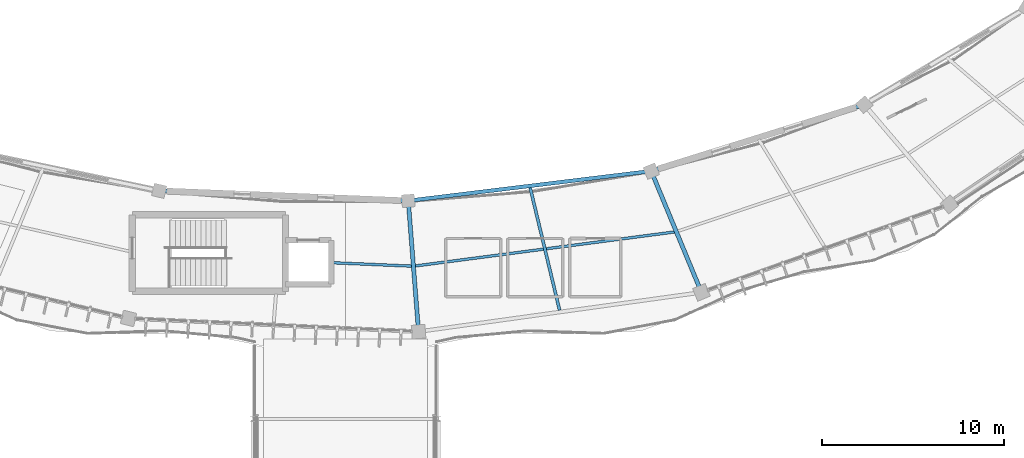
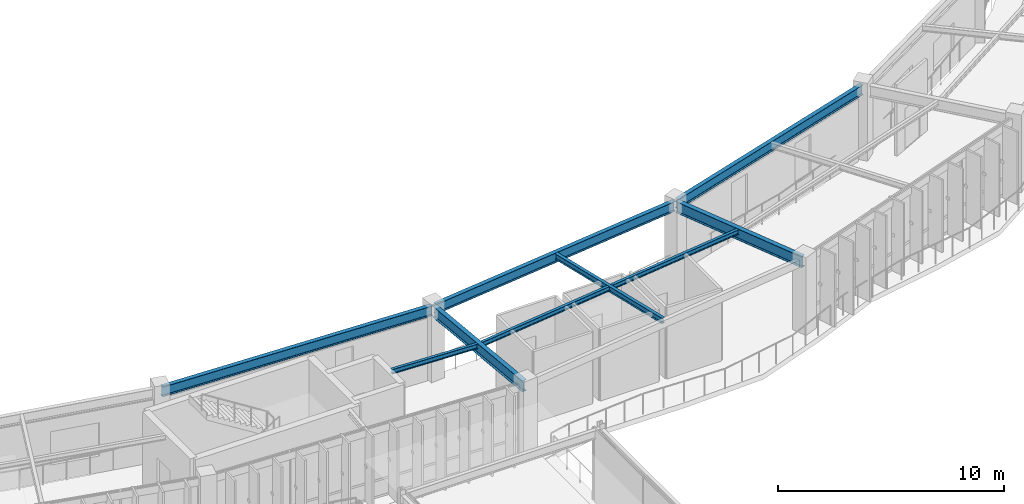
# One storey, part 63 of 152: 8 beams.
"""IFC4 building model written with IfcOpenShell, lengths in metres."""

from ifc_helpers import new_model, si_unit, direction, frame, origin, origin_2d, place, context, subcontext, project, spatial, i_section, extrude, material, material_profile, profile_set, type_object, element, save


model = new_model("IFC4")

# Units and contexts
model_context = context("Model", 3, precision=1e-05, world=origin(), true_north=direction((0.0, 1.0)))
body_context = subcontext(model_context, "Body", "Model", "MODEL_VIEW")
ifc_project = project(units=[si_unit("LENGTHUNIT", "METRE"), si_unit("AREAUNIT", "SQUARE_METRE"), si_unit("VOLUMEUNIT", "CUBIC_METRE"), si_unit("PLANEANGLEUNIT", "RADIAN"), si_unit("MASSUNIT", "GRAM", prefix="KILO"), si_unit("THERMODYNAMICTEMPERATUREUNIT", "KELVIN"), si_unit("POWERUNIT", "WATT")], contexts=[model_context])

# Site, building, storey
site_placement = place(None, origin())
site = spatial("IfcSite", under=ifc_project, at=site_placement, CompositionType="ELEMENT")
building_placement = place(site_placement, origin())
building = spatial("IfcBuilding", under=site, at=building_placement, Name="Darbajah Civic Hall", CompositionType="ELEMENT")
storey_placement = place(building_placement, frame((0.0, 0.0, 5.39990234375)))
storey = spatial("IfcBuildingStorey", under=building, at=storey_placement, Name="L01", CompositionType="ELEMENT", Elevation=5.39990234375)

# Beams
ifc_material = material(Name="Steel S355JR", Category="steel")
ifc_material_profile_1 = material_profile(ifc_material, i_section(OverallWidth=0.146484375, OverallDepth=0.256103515625, WebThickness=0.00634765625, FlangeThickness=0.010986328125, FilletRadius=0.007568359375, at=origin_2d()), Name="UB 254x146x37")
ifc_profile_set_1 = profile_set([ifc_material_profile_1], Name="Steel S355JR")
beam_type_1 = type_object("IfcBeamType", Name="UB 254x146x37", PredefinedType="JOIST", material=ifc_profile_set_1)
beam_1_placement = place(storey_placement, frame((88.419921875, 64.1689453125, 3.7919921875), z_axis=(0.999077737956, -0.042938019518, 0.0), x_axis=(0.042938019518, 0.999077737956, 0.0)))
element("IfcBeam", 1, at=beam_1_placement, inside=storey, type_object=beam_type_1, Name="L01 beam SJ-254", PredefinedType="JOIST", context=body_context, shape_type="SweptSolid", body=[
    extrude(i_section(OverallWidth=0.146484375, OverallDepth=0.256103515625, WebThickness=0.00634765625, FlangeThickness=0.010986328125, FilletRadius=0.007568359375, at=origin_2d()), origin(), (0.0, 0.0, 1.0), 4.287109375),
])
beam_2_placement = place(storey_placement, frame((92.93408203125, 63.994873046875, 3.7919921875), z_axis=(0.991504446027, 0.130072800801, 0.0), x_axis=(-0.130072800801, 0.991504446027, 0.0)))
element("IfcBeam", 2, at=beam_2_placement, inside=storey, type_object=beam_type_1, Name="L01 beam SJ-254", PredefinedType="JOIST", context=body_context, shape_type="SweptSolid", body=[
    extrude(i_section(OverallWidth=0.146484375, OverallDepth=0.256103515625, WebThickness=0.00634765625, FlangeThickness=0.010986328125, FilletRadius=0.007568359375, at=origin_2d()), origin(), (0.0, 0.0, 1.0), 14.311767578125),
])
ifc_material_profile_2 = material_profile(ifc_material, i_section(OverallWidth=0.165771484375, OverallDepth=0.306640625, WebThickness=0.006591796875, FlangeThickness=0.01171875, FilletRadius=0.0087890625, at=origin_2d()), Name="UB 305x165x46")
ifc_profile_set_2 = profile_set([ifc_material_profile_2], Name="Steel S355JR")
beam_type_2 = type_object("IfcBeamType", Name="UB 305x165x46", PredefinedType="JOIST", material=ifc_profile_set_2)
beam_3_placement = place(storey_placement, frame((99.2236328125, 68.280029296875, 3.766845703125), z_axis=(0.233446518106, -0.972369643286, 0.0), x_axis=(0.972369643286, 0.233446518106, 0.0)))
element("IfcBeam", 3, at=beam_3_placement, inside=storey, type_object=beam_type_2, Name="L01 beam SJ-305", PredefinedType="JOIST", context=body_context, shape_type="SweptSolid", body=[
    extrude(i_section(OverallWidth=0.165771484375, OverallDepth=0.306640625, WebThickness=0.006591796875, FlangeThickness=0.01171875, FilletRadius=0.0087890625, at=origin_2d()), origin(), (0.0, 0.0, 1.0), 6.9033203125),
])
ifc_material_profile_3 = material_profile(ifc_material, i_section(OverallWidth=0.209228515625, OverallDepth=0.533203125, WebThickness=0.010009765625, FlangeThickness=0.015625, FilletRadius=0.0126953125, at=origin_2d()), Name="UB 533x210x92")
ifc_profile_set_3 = profile_set([ifc_material_profile_3], Name="Steel S355JR")
beam_type_3 = type_object("IfcBeamType", Name="UB 533x210x92", PredefinedType="BEAM", material=ifc_profile_set_3)
beam_4_placement = place(storey_placement, frame((78.955078125, 68.113037109375, 3.653564453125), z_axis=(0.999198127678, -0.04003875178, 0.0), x_axis=(0.04003875178, 0.999198127678, 0.0)))
element("IfcBeam", 4, at=beam_4_placement, inside=storey, type_object=beam_type_3, Name="L01 beam SB-533", PredefinedType="BEAM", context=body_context, shape_type="SweptSolid", body=[
    extrude(i_section(OverallWidth=0.209228515625, OverallDepth=0.533203125, WebThickness=0.010009765625, FlangeThickness=0.015625, FilletRadius=0.0126953125, at=origin_2d()), origin(), (0.0, 0.0, 1.0), 13.51220703125),
])
beam_5_placement = place(storey_placement, frame((92.615966796875, 67.578369140625, 3.653564453125), z_axis=(0.992611744559, 0.121333938216, 0.0), x_axis=(-0.121333938216, 0.992611744559, 0.0)))
element("IfcBeam", 5, at=beam_5_placement, inside=storey, type_object=beam_type_3, Name="L01 beam SB-533", PredefinedType="BEAM", context=body_context, shape_type="SweptSolid", body=[
    extrude(i_section(OverallWidth=0.209228515625, OverallDepth=0.533203125, WebThickness=0.010009765625, FlangeThickness=0.015625, FilletRadius=0.0126953125, at=origin_2d()), origin(), (0.0, 0.0, 1.0), 13.263916015625),
])
beam_6_placement = place(storey_placement, frame((105.93798828125, 69.22119140625, 3.653564453125), z_axis=(0.954614020433, 0.297845718441, 0.0), x_axis=(-0.297845718441, 0.954614020433, 0.0)))
element("IfcBeam", 6, at=beam_6_placement, inside=storey, type_object=beam_type_3, Name="L01 beam SB-533", PredefinedType="BEAM", context=body_context, shape_type="SweptSolid", body=[
    extrude(i_section(OverallWidth=0.209228515625, OverallDepth=0.533203125, WebThickness=0.010009765625, FlangeThickness=0.015625, FilletRadius=0.0126953125, at=origin_2d()), origin(), (0.0, 0.0, 1.0), 12.079833984375),
])
ifc_material_profile_4 = material_profile(ifc_material, i_section(OverallWidth=0.228271484375, OverallDepth=0.607666015625, WebThickness=0.010986328125, FlangeThickness=0.017333984375, FilletRadius=0.0126953125, at=origin_2d()), Name="UB 610x229x113")
ifc_profile_set_4 = profile_set([ifc_material_profile_4], Name="Steel S355JR")
beam_type_4 = type_object("IfcBeamType", Name="UB 610x229x113", PredefinedType="BEAM", material=ifc_profile_set_4)
for number, where, z_axis, x_axis, name in (
    (7, (92.542724609375, 67.489013671875, 3.6162109375), (0.078478466478, -0.996915809033, 0.0), (0.996915809033, 0.078478466478, 0.0), "L01 beam SB-610"),
    (8, (105.89208984375, 69.12353515625, 3.6162109375), (0.382681552297, -0.923880311259, 0.0), (0.923880311259, 0.382681552297, 0.0), "L01 beam SB-610"),
):
    element("IfcBeam", number, at=place(storey_placement, frame(where, z_axis=z_axis, x_axis=x_axis)), inside=storey, type_object=beam_type_4, Name=name, PredefinedType="BEAM", context=body_context, shape_type="SweptSolid", body=[
        extrude(i_section(OverallWidth=0.228271484375, OverallDepth=0.607666015625, WebThickness=0.010986328125, FlangeThickness=0.017333984375, FilletRadius=0.0126953125, at=origin_2d()), origin(), (0.0, 0.0, 1.0), 7.0400390625),
    ])

save(model, "model.ifc")
